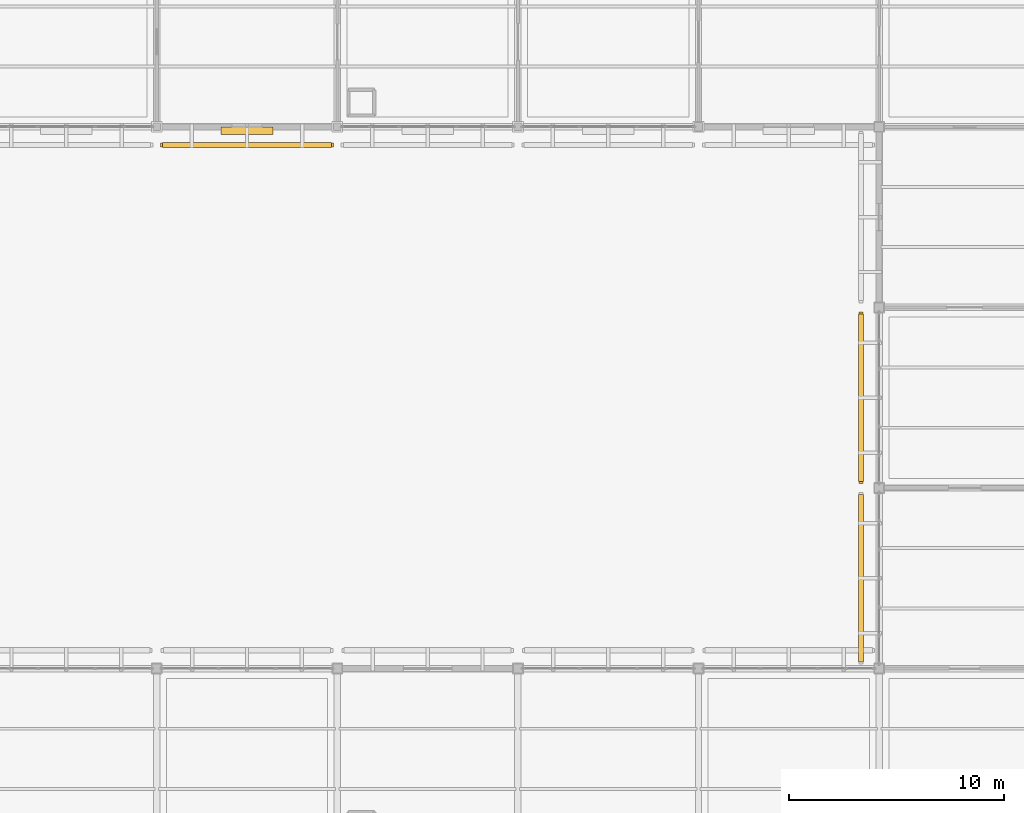
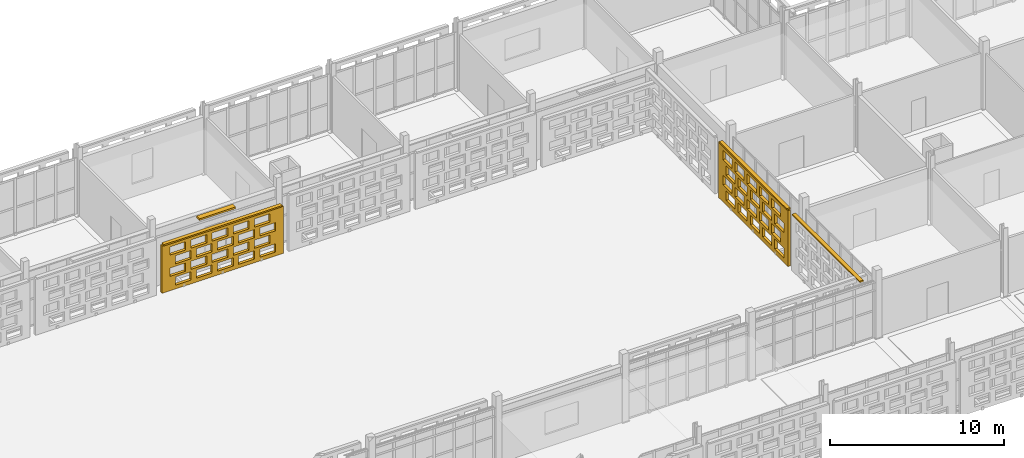
# One storey, part 178 of 203: 4 shading devices, 2 coverings, 40 openings.
"""IFC4 building model written with IfcOpenShell, lengths in metres."""

from ifc_helpers import new_model, si_unit, direction, frame, frame_2d, origin, origin_2d, place, context, subcontext, project, spatial, rectangle, extrude, material, layer, layer_set, type_object, element, save


model = new_model("IFC4")

# Units and contexts
model_context = context("Model", 3, precision=1e-05, world=origin(), true_north=direction((0.0, 1.0)))
body_context = subcontext(model_context, "Body", "Model", "MODEL_VIEW")
ifc_project = project(units=[si_unit("LENGTHUNIT", "METRE"), si_unit("AREAUNIT", "SQUARE_METRE"), si_unit("VOLUMEUNIT", "CUBIC_METRE"), si_unit("PLANEANGLEUNIT", "RADIAN"), si_unit("MASSUNIT", "GRAM", prefix="KILO")], contexts=[model_context])

# Site, building, storey
site_placement = place(None, origin())
site = spatial("IfcSite", under=ifc_project, at=site_placement, CompositionType="ELEMENT")
building_placement = place(site_placement, origin())
building = spatial("IfcBuilding", under=site, at=building_placement, Name="Varnapada Polytechnic", CompositionType="ELEMENT")
storey_placement = place(building_placement, frame((0.0, 0.0, 4.800048828125)))
storey = spatial("IfcBuildingStorey", under=building, at=storey_placement, Name="L01", CompositionType="ELEMENT", Elevation=4.800048828125)

# Shading device
ifc_material_1 = material(Name="Anodised aluminium", Category="aluminium")
ifc_layer_1 = layer(ifc_material_1, 0.35009765625)
ifc_layer_set_1 = layer_set([ifc_layer_1], Name="Anodised aluminium")
shading_device_type_1 = type_object("IfcShadingDeviceType", Name="Solar Louvre LVR-01", PredefinedType="JALOUSIE", material=ifc_layer_set_1)
shading_device_1_placement = place(storey_placement, frame((96.60009765625, 117.419921875, 3.760009765625), z_axis=(0.0, 0.0, 1.0), x_axis=(-1.0, 0.0, 0.0)))
element("IfcShadingDevice", 1, at=shading_device_1_placement, inside=storey, type_object=shading_device_type_1, Name="L01 aluminium sun louvre 82", PredefinedType="JALOUSIE", context=body_context, shape_type="SweptSolid", body=[
    extrude(rectangle(XDim=2.39990234375, YDim=0.340087890625, at=origin_2d()), origin(), (0.0, 0.0, 1.0), 0.1201171875),
])

# Covering, openings
ifc_material_2 = material(Name="Earth-toned architectural terracotta screen block", Category="masonry")
ifc_layer_2 = layer(ifc_material_2, 0.1201171875)
ifc_layer_set_2 = layer_set([ifc_layer_2], Name="Earth-toned architectural terracotta screen block")
covering_type = type_object("IfcCoveringType", Name="Terracotta Screen Cladding CLD-01", PredefinedType="CLADDING", material=ifc_layer_set_2)
covering_1_placement = place(storey_placement, frame((100.6201171875, 116.75, 0.0), z_axis=(0.0, 0.0, 1.0), x_axis=(-1.0, 0.0, 0.0)))
covering_1 = element("IfcCovering", 2, at=covering_1_placement, inside=storey, type_object=covering_type, Name="L01 perforated terracotta block screen (82)", PredefinedType="CLADDING", context=body_context, shape_type="SweptSolid", body=[
    extrude(rectangle(XDim=8.0400390625, YDim=0.179931640625, at=frame_2d((4.02001953125, 0.0))), origin(), (0.0, 0.0, 1.0), 3.31005859375),
])
opening_1_placement = place(covering_1_placement, frame((0.52001953125, 0.0, 0.264892578125)))
element("IfcOpeningElement", 3, at=opening_1_placement, cuts=covering_1, Name="Screen perforation TBS-L01-081.1", PredefinedType="OPENING", context=body_context, shape_type="SweptSolid", body=[
    extrude(rectangle(XDim=1.0400390625, YDim=0.5791015625, at=frame_2d((0.52001953125, 0.28955078125))), frame((0.0, 0.099853515625, 0.0), z_axis=(0.0, -1.0, 0.0), x_axis=(1.0, 0.0, 0.0)), (0.0, 0.0, 1.0), 0.199951171875),
])
opening_2_placement = place(covering_1_placement, frame((1.919921875, 0.0, 0.264892578125)))
element("IfcOpeningElement", 4, at=opening_2_placement, cuts=covering_1, Name="Screen perforation TBS-L01-081.2", PredefinedType="OPENING", context=body_context, shape_type="SweptSolid", body=[
    extrude(rectangle(XDim=1.0400390625, YDim=0.5791015625, at=frame_2d((0.52001953125, 0.28955078125))), frame((0.0, 0.099853515625, 0.0), z_axis=(0.0, -1.0, 0.0), x_axis=(1.0, 0.0, 0.0)), (0.0, 0.0, 1.0), 0.199951171875),
])
opening_3_placement = place(covering_1_placement, frame((3.320068359375, 0.0, 0.264892578125)))
element("IfcOpeningElement", 5, at=opening_3_placement, cuts=covering_1, Name="Screen perforation TBS-L01-081.3", PredefinedType="OPENING", context=body_context, shape_type="SweptSolid", body=[
    extrude(rectangle(XDim=1.0400390625, YDim=0.5791015625, at=frame_2d((0.52001953125, 0.28955078125))), frame((0.0, 0.099853515625, 0.0), z_axis=(0.0, -1.0, 0.0), x_axis=(1.0, 0.0, 0.0)), (0.0, 0.0, 1.0), 0.199951171875),
])
opening_4_placement = place(covering_1_placement, frame((4.719970703125, 0.0, 0.264892578125)))
element("IfcOpeningElement", 6, at=opening_4_placement, cuts=covering_1, Name="Screen perforation TBS-L01-081.4", PredefinedType="OPENING", context=body_context, shape_type="SweptSolid", body=[
    extrude(rectangle(XDim=1.0400390625, YDim=0.5791015625, at=frame_2d((0.52001953125, 0.28955078125))), frame((0.0, 0.099853515625, 0.0), z_axis=(0.0, -1.0, 0.0), x_axis=(1.0, 0.0, 0.0)), (0.0, 0.0, 1.0), 0.199951171875),
])
opening_5_placement = place(covering_1_placement, frame((6.1201171875, 0.0, 0.264892578125)))
element("IfcOpeningElement", 7, at=opening_5_placement, cuts=covering_1, Name="Screen perforation TBS-L01-081.5", PredefinedType="OPENING", context=body_context, shape_type="SweptSolid", body=[
    extrude(rectangle(XDim=1.0400390625, YDim=0.5791015625, at=frame_2d((0.52001953125, 0.28955078125))), frame((0.0, 0.099853515625, 0.0), z_axis=(0.0, -1.0, 0.0), x_axis=(1.0, 0.0, 0.0)), (0.0, 0.0, 1.0), 0.199951171875),
])
opening_6_placement = place(covering_1_placement, frame((0.8798828125, 0.0, 1.009521484375)))
element("IfcOpeningElement", 8, at=opening_6_placement, cuts=covering_1, Name="Screen perforation TBS-L01-081.6", PredefinedType="OPENING", context=body_context, shape_type="SweptSolid", body=[
    extrude(rectangle(XDim=1.0400390625, YDim=0.5791015625, at=frame_2d((0.52001953125, 0.28955078125))), frame((0.0, 0.099853515625, 0.0), z_axis=(0.0, -1.0, 0.0), x_axis=(1.0, 0.0, 0.0)), (0.0, 0.0, 1.0), 0.199951171875),
])
opening_7_placement = place(covering_1_placement, frame((2.280029296875, 0.0, 1.009521484375)))
element("IfcOpeningElement", 9, at=opening_7_placement, cuts=covering_1, Name="Screen perforation TBS-L01-081.7", PredefinedType="OPENING", context=body_context, shape_type="SweptSolid", body=[
    extrude(rectangle(XDim=1.0400390625, YDim=0.5791015625, at=frame_2d((0.52001953125, 0.28955078125))), frame((0.0, 0.099853515625, 0.0), z_axis=(0.0, -1.0, 0.0), x_axis=(1.0, 0.0, 0.0)), (0.0, 0.0, 1.0), 0.199951171875),
])
opening_8_placement = place(covering_1_placement, frame((3.679931640625, 0.0, 1.009521484375)))
element("IfcOpeningElement", 10, at=opening_8_placement, cuts=covering_1, Name="Screen perforation TBS-L01-081.8", PredefinedType="OPENING", context=body_context, shape_type="SweptSolid", body=[
    extrude(rectangle(XDim=1.0400390625, YDim=0.5791015625, at=frame_2d((0.52001953125, 0.28955078125))), frame((0.0, 0.099853515625, 0.0), z_axis=(0.0, -1.0, 0.0), x_axis=(1.0, 0.0, 0.0)), (0.0, 0.0, 1.0), 0.199951171875),
])
opening_9_placement = place(covering_1_placement, frame((5.080078125, 0.0, 1.009521484375)))
element("IfcOpeningElement", 11, at=opening_9_placement, cuts=covering_1, Name="Screen perforation TBS-L01-081.9", PredefinedType="OPENING", context=body_context, shape_type="SweptSolid", body=[
    extrude(rectangle(XDim=1.0400390625, YDim=0.5791015625, at=frame_2d((0.52001953125, 0.28955078125))), frame((0.0, 0.099853515625, 0.0), z_axis=(0.0, -1.0, 0.0), x_axis=(1.0, 0.0, 0.0)), (0.0, 0.0, 1.0), 0.199951171875),
])
opening_10_placement = place(covering_1_placement, frame((6.47998046875, 0.0, 1.009521484375)))
element("IfcOpeningElement", 12, at=opening_10_placement, cuts=covering_1, Name="Screen perforation TBS-L01-081.10", PredefinedType="OPENING", context=body_context, shape_type="SweptSolid", body=[
    extrude(rectangle(XDim=1.0400390625, YDim=0.5791015625, at=frame_2d((0.52001953125, 0.28955078125))), frame((0.0, 0.099853515625, 0.0), z_axis=(0.0, -1.0, 0.0), x_axis=(1.0, 0.0, 0.0)), (0.0, 0.0, 1.0), 0.199951171875),
])
opening_11_placement = place(covering_1_placement, frame((0.52001953125, 0.0, 1.75439453125)))
element("IfcOpeningElement", 13, at=opening_11_placement, cuts=covering_1, Name="Screen perforation TBS-L01-081.11", PredefinedType="OPENING", context=body_context, shape_type="SweptSolid", body=[
    extrude(rectangle(XDim=1.0400390625, YDim=0.5791015625, at=frame_2d((0.52001953125, 0.28955078125))), frame((0.0, 0.099853515625, 0.0), z_axis=(0.0, -1.0, 0.0), x_axis=(1.0, 0.0, 0.0)), (0.0, 0.0, 1.0), 0.199951171875),
])
opening_12_placement = place(covering_1_placement, frame((1.919921875, 0.0, 1.75439453125)))
element("IfcOpeningElement", 14, at=opening_12_placement, cuts=covering_1, Name="Screen perforation TBS-L01-081.12", PredefinedType="OPENING", context=body_context, shape_type="SweptSolid", body=[
    extrude(rectangle(XDim=1.0400390625, YDim=0.5791015625, at=frame_2d((0.52001953125, 0.28955078125))), frame((0.0, 0.099853515625, 0.0), z_axis=(0.0, -1.0, 0.0), x_axis=(1.0, 0.0, 0.0)), (0.0, 0.0, 1.0), 0.199951171875),
])
opening_13_placement = place(covering_1_placement, frame((3.320068359375, 0.0, 1.75439453125)))
element("IfcOpeningElement", 15, at=opening_13_placement, cuts=covering_1, Name="Screen perforation TBS-L01-081.13", PredefinedType="OPENING", context=body_context, shape_type="SweptSolid", body=[
    extrude(rectangle(XDim=1.0400390625, YDim=0.5791015625, at=frame_2d((0.52001953125, 0.28955078125))), frame((0.0, 0.099853515625, 0.0), z_axis=(0.0, -1.0, 0.0), x_axis=(1.0, 0.0, 0.0)), (0.0, 0.0, 1.0), 0.199951171875),
])
opening_14_placement = place(covering_1_placement, frame((4.719970703125, 0.0, 1.75439453125)))
element("IfcOpeningElement", 16, at=opening_14_placement, cuts=covering_1, Name="Screen perforation TBS-L01-081.14", PredefinedType="OPENING", context=body_context, shape_type="SweptSolid", body=[
    extrude(rectangle(XDim=1.0400390625, YDim=0.5791015625, at=frame_2d((0.52001953125, 0.28955078125))), frame((0.0, 0.099853515625, 0.0), z_axis=(0.0, -1.0, 0.0), x_axis=(1.0, 0.0, 0.0)), (0.0, 0.0, 1.0), 0.199951171875),
])
opening_15_placement = place(covering_1_placement, frame((6.1201171875, 0.0, 1.75439453125)))
element("IfcOpeningElement", 17, at=opening_15_placement, cuts=covering_1, Name="Screen perforation TBS-L01-081.15", PredefinedType="OPENING", context=body_context, shape_type="SweptSolid", body=[
    extrude(rectangle(XDim=1.0400390625, YDim=0.5791015625, at=frame_2d((0.52001953125, 0.28955078125))), frame((0.0, 0.099853515625, 0.0), z_axis=(0.0, -1.0, 0.0), x_axis=(1.0, 0.0, 0.0)), (0.0, 0.0, 1.0), 0.199951171875),
])
opening_16_placement = place(covering_1_placement, frame((0.8798828125, 0.0, 2.4990234375)))
element("IfcOpeningElement", 18, at=opening_16_placement, cuts=covering_1, Name="Screen perforation TBS-L01-081.16", PredefinedType="OPENING", context=body_context, shape_type="SweptSolid", body=[
    extrude(rectangle(XDim=1.0400390625, YDim=0.5791015625, at=frame_2d((0.52001953125, 0.28955078125))), frame((0.0, 0.099853515625, 0.0), z_axis=(0.0, -1.0, 0.0), x_axis=(1.0, 0.0, 0.0)), (0.0, 0.0, 1.0), 0.199951171875),
])
opening_17_placement = place(covering_1_placement, frame((2.280029296875, 0.0, 2.4990234375)))
element("IfcOpeningElement", 19, at=opening_17_placement, cuts=covering_1, Name="Screen perforation TBS-L01-081.17", PredefinedType="OPENING", context=body_context, shape_type="SweptSolid", body=[
    extrude(rectangle(XDim=1.0400390625, YDim=0.5791015625, at=frame_2d((0.52001953125, 0.28955078125))), frame((0.0, 0.099853515625, 0.0), z_axis=(0.0, -1.0, 0.0), x_axis=(1.0, 0.0, 0.0)), (0.0, 0.0, 1.0), 0.199951171875),
])
opening_18_placement = place(covering_1_placement, frame((3.679931640625, 0.0, 2.4990234375)))
element("IfcOpeningElement", 20, at=opening_18_placement, cuts=covering_1, Name="Screen perforation TBS-L01-081.18", PredefinedType="OPENING", context=body_context, shape_type="SweptSolid", body=[
    extrude(rectangle(XDim=1.0400390625, YDim=0.5791015625, at=frame_2d((0.52001953125, 0.28955078125))), frame((0.0, 0.099853515625, 0.0), z_axis=(0.0, -1.0, 0.0), x_axis=(1.0, 0.0, 0.0)), (0.0, 0.0, 1.0), 0.199951171875),
])
opening_19_placement = place(covering_1_placement, frame((5.080078125, 0.0, 2.4990234375)))
element("IfcOpeningElement", 21, at=opening_19_placement, cuts=covering_1, Name="Screen perforation TBS-L01-081.19", PredefinedType="OPENING", context=body_context, shape_type="SweptSolid", body=[
    extrude(rectangle(XDim=1.0400390625, YDim=0.5791015625, at=frame_2d((0.52001953125, 0.28955078125))), frame((0.0, 0.099853515625, 0.0), z_axis=(0.0, -1.0, 0.0), x_axis=(1.0, 0.0, 0.0)), (0.0, 0.0, 1.0), 0.199951171875),
])
opening_20_placement = place(covering_1_placement, frame((6.47998046875, 0.0, 2.4990234375)))
element("IfcOpeningElement", 22, at=opening_20_placement, cuts=covering_1, Name="Screen perforation TBS-L01-081.20", PredefinedType="OPENING", context=body_context, shape_type="SweptSolid", body=[
    extrude(rectangle(XDim=1.0400390625, YDim=0.5791015625, at=frame_2d((0.52001953125, 0.28955078125))), frame((0.0, 0.099853515625, 0.0), z_axis=(0.0, -1.0, 0.0), x_axis=(1.0, 0.0, 0.0)), (0.0, 0.0, 1.0), 0.199951171875),
])

covering_2_placement = place(storey_placement, frame((125.14990234375, 101.010009765625, 0.0), z_axis=(0.0, 0.0, 1.0), x_axis=(0.0, 1.0, 0.0)))
covering_2 = element("IfcCovering", 23, at=covering_2_placement, inside=storey, type_object=covering_type, Name="L01 perforated terracotta block screen (109)", PredefinedType="CLADDING", context=body_context, shape_type="SweptSolid", body=[
    extrude(rectangle(XDim=7.97998046875, YDim=0.179931640625, at=frame_2d((3.989990234375, 0.0))), origin(), (0.0, 0.0, 1.0), 3.919921875),
])
opening_21_placement = place(covering_2_placement, frame((0.489990234375, 0.0, 0.313720703125)))
element("IfcOpeningElement", 24, at=opening_21_placement, cuts=covering_2, Name="Screen perforation TBS-L01-108.1", PredefinedType="OPENING", context=body_context, shape_type="SweptSolid", body=[
    extrude(rectangle(XDim=1.0400390625, YDim=0.679931640625, at=frame_2d((0.52001953125, 0.33984375))), frame((0.0, 0.099853515625, 0.0), z_axis=(0.0, -1.0, 0.0), x_axis=(1.0, 0.0, 0.0)), (0.0, 0.0, 1.0), 0.199951171875),
])
opening_22_placement = place(covering_2_placement, frame((1.889892578125, 0.0, 0.313720703125)))
element("IfcOpeningElement", 25, at=opening_22_placement, cuts=covering_2, Name="Screen perforation TBS-L01-108.2", PredefinedType="OPENING", context=body_context, shape_type="SweptSolid", body=[
    extrude(rectangle(XDim=1.0400390625, YDim=0.679931640625, at=frame_2d((0.52001953125, 0.33984375))), frame((0.0, 0.099853515625, 0.0), z_axis=(0.0, -1.0, 0.0), x_axis=(1.0, 0.0, 0.0)), (0.0, 0.0, 1.0), 0.199951171875),
])
opening_23_placement = place(covering_2_placement, frame((3.2900390625, 0.0, 0.313720703125)))
element("IfcOpeningElement", 26, at=opening_23_placement, cuts=covering_2, Name="Screen perforation TBS-L01-108.3", PredefinedType="OPENING", context=body_context, shape_type="SweptSolid", body=[
    extrude(rectangle(XDim=1.0400390625, YDim=0.679931640625, at=frame_2d((0.52001953125, 0.33984375))), frame((0.0, 0.099853515625, 0.0), z_axis=(0.0, -1.0, 0.0), x_axis=(1.0, 0.0, 0.0)), (0.0, 0.0, 1.0), 0.199951171875),
])
opening_24_placement = place(covering_2_placement, frame((4.68994140625, 0.0, 0.313720703125)))
element("IfcOpeningElement", 27, at=opening_24_placement, cuts=covering_2, Name="Screen perforation TBS-L01-108.4", PredefinedType="OPENING", context=body_context, shape_type="SweptSolid", body=[
    extrude(rectangle(XDim=1.0400390625, YDim=0.679931640625, at=frame_2d((0.52001953125, 0.33984375))), frame((0.0, 0.099853515625, 0.0), z_axis=(0.0, -1.0, 0.0), x_axis=(1.0, 0.0, 0.0)), (0.0, 0.0, 1.0), 0.199951171875),
])
opening_25_placement = place(covering_2_placement, frame((6.090087890625, 0.0, 0.313720703125)))
element("IfcOpeningElement", 28, at=opening_25_placement, cuts=covering_2, Name="Screen perforation TBS-L01-108.5", PredefinedType="OPENING", context=body_context, shape_type="SweptSolid", body=[
    extrude(rectangle(XDim=1.0400390625, YDim=0.679931640625, at=frame_2d((0.52001953125, 0.33984375))), frame((0.0, 0.099853515625, 0.0), z_axis=(0.0, -1.0, 0.0), x_axis=(1.0, 0.0, 0.0)), (0.0, 0.0, 1.0), 0.199951171875),
])
opening_26_placement = place(covering_2_placement, frame((0.85009765625, 0.0, 1.195556640625)))
element("IfcOpeningElement", 29, at=opening_26_placement, cuts=covering_2, Name="Screen perforation TBS-L01-108.6", PredefinedType="OPENING", context=body_context, shape_type="SweptSolid", body=[
    extrude(rectangle(XDim=1.0400390625, YDim=0.679931640625, at=frame_2d((0.52001953125, 0.33984375))), frame((0.0, 0.099853515625, 0.0), z_axis=(0.0, -1.0, 0.0), x_axis=(1.0, 0.0, 0.0)), (0.0, 0.0, 1.0), 0.199951171875),
])
opening_27_placement = place(covering_2_placement, frame((2.25, 0.0, 1.195556640625)))
element("IfcOpeningElement", 30, at=opening_27_placement, cuts=covering_2, Name="Screen perforation TBS-L01-108.7", PredefinedType="OPENING", context=body_context, shape_type="SweptSolid", body=[
    extrude(rectangle(XDim=1.0400390625, YDim=0.679931640625, at=frame_2d((0.52001953125, 0.33984375))), frame((0.0, 0.099853515625, 0.0), z_axis=(0.0, -1.0, 0.0), x_axis=(1.0, 0.0, 0.0)), (0.0, 0.0, 1.0), 0.199951171875),
])
opening_28_placement = place(covering_2_placement, frame((3.64990234375, 0.0, 1.195556640625)))
element("IfcOpeningElement", 31, at=opening_28_placement, cuts=covering_2, Name="Screen perforation TBS-L01-108.8", PredefinedType="OPENING", context=body_context, shape_type="SweptSolid", body=[
    extrude(rectangle(XDim=1.0400390625, YDim=0.679931640625, at=frame_2d((0.52001953125, 0.33984375))), frame((0.0, 0.099853515625, 0.0), z_axis=(0.0, -1.0, 0.0), x_axis=(1.0, 0.0, 0.0)), (0.0, 0.0, 1.0), 0.199951171875),
])
opening_29_placement = place(covering_2_placement, frame((5.050048828125, 0.0, 1.195556640625)))
element("IfcOpeningElement", 32, at=opening_29_placement, cuts=covering_2, Name="Screen perforation TBS-L01-108.9", PredefinedType="OPENING", context=body_context, shape_type="SweptSolid", body=[
    extrude(rectangle(XDim=1.0400390625, YDim=0.679931640625, at=frame_2d((0.52001953125, 0.33984375))), frame((0.0, 0.099853515625, 0.0), z_axis=(0.0, -1.0, 0.0), x_axis=(1.0, 0.0, 0.0)), (0.0, 0.0, 1.0), 0.199951171875),
])
opening_30_placement = place(covering_2_placement, frame((6.449951171875, 0.0, 1.195556640625)))
element("IfcOpeningElement", 33, at=opening_30_placement, cuts=covering_2, Name="Screen perforation TBS-L01-108.10", PredefinedType="OPENING", context=body_context, shape_type="SweptSolid", body=[
    extrude(rectangle(XDim=1.0400390625, YDim=0.679931640625, at=frame_2d((0.52001953125, 0.33984375))), frame((0.0, 0.099853515625, 0.0), z_axis=(0.0, -1.0, 0.0), x_axis=(1.0, 0.0, 0.0)), (0.0, 0.0, 1.0), 0.199951171875),
])
opening_31_placement = place(covering_2_placement, frame((0.489990234375, 0.0, 2.07763671875)))
element("IfcOpeningElement", 34, at=opening_31_placement, cuts=covering_2, Name="Screen perforation TBS-L01-108.11", PredefinedType="OPENING", context=body_context, shape_type="SweptSolid", body=[
    extrude(rectangle(XDim=1.0400390625, YDim=0.679931640625, at=frame_2d((0.52001953125, 0.33984375))), frame((0.0, 0.099853515625, 0.0), z_axis=(0.0, -1.0, 0.0), x_axis=(1.0, 0.0, 0.0)), (0.0, 0.0, 1.0), 0.199951171875),
])
opening_32_placement = place(covering_2_placement, frame((1.889892578125, 0.0, 2.07763671875)))
element("IfcOpeningElement", 35, at=opening_32_placement, cuts=covering_2, Name="Screen perforation TBS-L01-108.12", PredefinedType="OPENING", context=body_context, shape_type="SweptSolid", body=[
    extrude(rectangle(XDim=1.0400390625, YDim=0.679931640625, at=frame_2d((0.52001953125, 0.33984375))), frame((0.0, 0.099853515625, 0.0), z_axis=(0.0, -1.0, 0.0), x_axis=(1.0, 0.0, 0.0)), (0.0, 0.0, 1.0), 0.199951171875),
])
opening_33_placement = place(covering_2_placement, frame((3.2900390625, 0.0, 2.07763671875)))
element("IfcOpeningElement", 36, at=opening_33_placement, cuts=covering_2, Name="Screen perforation TBS-L01-108.13", PredefinedType="OPENING", context=body_context, shape_type="SweptSolid", body=[
    extrude(rectangle(XDim=1.0400390625, YDim=0.679931640625, at=frame_2d((0.52001953125, 0.33984375))), frame((0.0, 0.099853515625, 0.0), z_axis=(0.0, -1.0, 0.0), x_axis=(1.0, 0.0, 0.0)), (0.0, 0.0, 1.0), 0.199951171875),
])
opening_34_placement = place(covering_2_placement, frame((4.68994140625, 0.0, 2.07763671875)))
element("IfcOpeningElement", 37, at=opening_34_placement, cuts=covering_2, Name="Screen perforation TBS-L01-108.14", PredefinedType="OPENING", context=body_context, shape_type="SweptSolid", body=[
    extrude(rectangle(XDim=1.0400390625, YDim=0.679931640625, at=frame_2d((0.52001953125, 0.33984375))), frame((0.0, 0.099853515625, 0.0), z_axis=(0.0, -1.0, 0.0), x_axis=(1.0, 0.0, 0.0)), (0.0, 0.0, 1.0), 0.199951171875),
])
opening_35_placement = place(covering_2_placement, frame((6.090087890625, 0.0, 2.07763671875)))
element("IfcOpeningElement", 38, at=opening_35_placement, cuts=covering_2, Name="Screen perforation TBS-L01-108.15", PredefinedType="OPENING", context=body_context, shape_type="SweptSolid", body=[
    extrude(rectangle(XDim=1.0400390625, YDim=0.679931640625, at=frame_2d((0.52001953125, 0.33984375))), frame((0.0, 0.099853515625, 0.0), z_axis=(0.0, -1.0, 0.0), x_axis=(1.0, 0.0, 0.0)), (0.0, 0.0, 1.0), 0.199951171875),
])
opening_36_placement = place(covering_2_placement, frame((0.85009765625, 0.0, 2.959716796875)))
element("IfcOpeningElement", 39, at=opening_36_placement, cuts=covering_2, Name="Screen perforation TBS-L01-108.16", PredefinedType="OPENING", context=body_context, shape_type="SweptSolid", body=[
    extrude(rectangle(XDim=1.0400390625, YDim=0.679931640625, at=frame_2d((0.52001953125, 0.33984375))), frame((0.0, 0.099853515625, 0.0), z_axis=(0.0, -1.0, 0.0), x_axis=(1.0, 0.0, 0.0)), (0.0, 0.0, 1.0), 0.199951171875),
])
opening_37_placement = place(covering_2_placement, frame((2.25, 0.0, 2.959716796875)))
element("IfcOpeningElement", 40, at=opening_37_placement, cuts=covering_2, Name="Screen perforation TBS-L01-108.17", PredefinedType="OPENING", context=body_context, shape_type="SweptSolid", body=[
    extrude(rectangle(XDim=1.0400390625, YDim=0.679931640625, at=frame_2d((0.52001953125, 0.33984375))), frame((0.0, 0.099853515625, 0.0), z_axis=(0.0, -1.0, 0.0), x_axis=(1.0, 0.0, 0.0)), (0.0, 0.0, 1.0), 0.199951171875),
])
opening_38_placement = place(covering_2_placement, frame((3.64990234375, 0.0, 2.959716796875)))
element("IfcOpeningElement", 41, at=opening_38_placement, cuts=covering_2, Name="Screen perforation TBS-L01-108.18", PredefinedType="OPENING", context=body_context, shape_type="SweptSolid", body=[
    extrude(rectangle(XDim=1.0400390625, YDim=0.679931640625, at=frame_2d((0.52001953125, 0.33984375))), frame((0.0, 0.099853515625, 0.0), z_axis=(0.0, -1.0, 0.0), x_axis=(1.0, 0.0, 0.0)), (0.0, 0.0, 1.0), 0.199951171875),
])
opening_39_placement = place(covering_2_placement, frame((5.050048828125, 0.0, 2.959716796875)))
element("IfcOpeningElement", 42, at=opening_39_placement, cuts=covering_2, Name="Screen perforation TBS-L01-108.19", PredefinedType="OPENING", context=body_context, shape_type="SweptSolid", body=[
    extrude(rectangle(XDim=1.0400390625, YDim=0.679931640625, at=frame_2d((0.52001953125, 0.33984375))), frame((0.0, 0.099853515625, 0.0), z_axis=(0.0, -1.0, 0.0), x_axis=(1.0, 0.0, 0.0)), (0.0, 0.0, 1.0), 0.199951171875),
])
opening_40_placement = place(covering_2_placement, frame((6.449951171875, 0.0, 2.959716796875)))
element("IfcOpeningElement", 43, at=opening_40_placement, cuts=covering_2, Name="Screen perforation TBS-L01-108.20", PredefinedType="OPENING", context=body_context, shape_type="SweptSolid", body=[
    extrude(rectangle(XDim=1.0400390625, YDim=0.679931640625, at=frame_2d((0.52001953125, 0.33984375))), frame((0.0, 0.099853515625, 0.0), z_axis=(0.0, -1.0, 0.0), x_axis=(1.0, 0.0, 0.0)), (0.0, 0.0, 1.0), 0.199951171875),
])

# Shading devices
ifc_layer_3 = layer(ifc_material_2, 0.179931640625)
ifc_layer_set_3 = layer_set([ifc_layer_3], Name="Earth-toned architectural terracotta screen block")
shading_device_type_2 = type_object("IfcShadingDeviceType", Name="Terracotta Screen SCR-02", PredefinedType="USERDEFINED", material=ifc_layer_set_3)
shading_device_2_placement = place(storey_placement, frame((96.60009765625, 116.75, 3.2998046875), z_axis=(0.0, 0.0, 1.0), x_axis=(-1.0, 0.0, 0.0)))
element("IfcShadingDevice", 44, at=shading_device_2_placement, inside=storey, type_object=shading_device_type_2, Name="L01 perforated terracotta screen hood 161", ObjectType="SCREEN", PredefinedType="USERDEFINED", context=body_context, shape_type="SweptSolid", body=[
    extrude(rectangle(XDim=7.840087890625, YDim=0.239990234375, at=origin_2d()), origin(), (0.0, 0.0, 1.0), 0.10009765625),
])
for number, where, z_axis, x_axis, name in (
    (45, (125.14990234375, 96.60009765625, 3.909912109375), (0.0, 0.0, 1.0), (0.0, 1.0, 0.0), "L01 perforated terracotta screen hood 187"),
    (46, (125.14990234375, 105.0, 3.909912109375), (0.0, 0.0, 1.0), (0.0, 1.0, 0.0), "L01 perforated terracotta screen hood 188"),
):
    element("IfcShadingDevice", number, at=place(storey_placement, frame(where, z_axis=z_axis, x_axis=x_axis)), inside=storey, type_object=shading_device_type_2, Name=name, ObjectType="SCREEN", PredefinedType="USERDEFINED", context=body_context, shape_type="SweptSolid", body=[
        extrude(rectangle(XDim=7.780029296875, YDim=0.239990234375, at=origin_2d()), origin(), (0.0, 0.0, 1.0), 0.10009765625),
    ])

save(model, "model.ifc")
